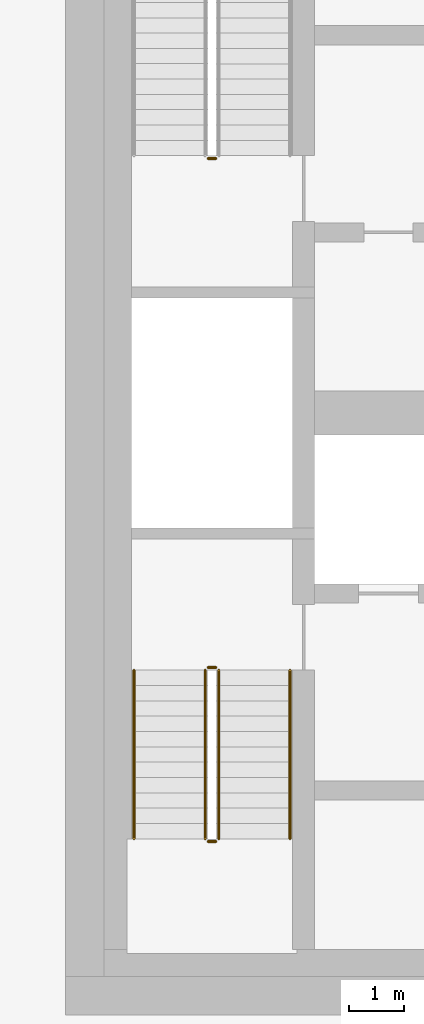
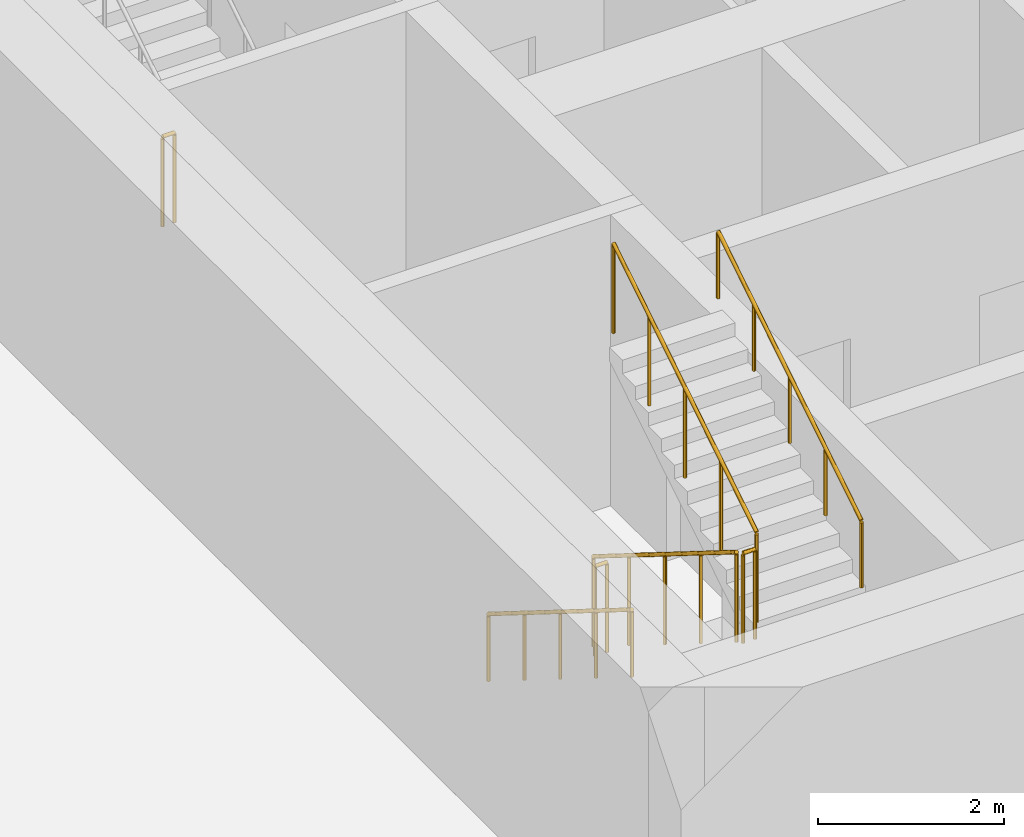
# One storey, part 17 of 22: 7 railings.
"""IFC4 building model written with IfcOpenShell, lengths in metres."""

from ifc_helpers import new_model, si_unit, direction, frame, origin, origin_2d, place, context, subcontext, project, spatial, circle, extrude, material, type_object, element, save


model = new_model("IFC4")

# Units and contexts
model_context = context("Model", 3, precision=1e-05, world=origin(), true_north=direction((0.0, 1.0)))
body_context = subcontext(model_context, "Body", "Model", "MODEL_VIEW")
ifc_project = project(units=[si_unit("LENGTHUNIT", "METRE"), si_unit("AREAUNIT", "SQUARE_METRE"), si_unit("VOLUMEUNIT", "CUBIC_METRE"), si_unit("PLANEANGLEUNIT", "RADIAN"), si_unit("MASSUNIT", "GRAM", prefix="KILO")], contexts=[model_context])

# Site, building, storey
site_placement = place(None, origin())
site = spatial("IfcSite", under=ifc_project, at=site_placement, CompositionType="ELEMENT")
building_placement = place(site_placement, origin())
building = spatial("IfcBuilding", under=site, at=building_placement, Name="Dongbaek Canopy Tower", CompositionType="ELEMENT")
storey_placement = place(building_placement, frame((0.0, 0.0, 237.0)))
storey = spatial("IfcBuildingStorey", under=building, at=storey_placement, Name="L49", CompositionType="ELEMENT", Elevation=237.0)

# Railings
ifc_material_1 = material(Name="Stainless steel tube and balusters", Category="steel")
railing_type_1 = type_object("IfcRailingType", Name="Stair guard 1200", PredefinedType="GUARDRAIL", material=ifc_material_1)
railing_1_placement = place(storey_placement, frame((-11.25, 4.64990234375, 0.0)))
element("IfcRailing", 1, at=railing_1_placement, inside=storey, type_object=railing_type_1, Name="L49 ST-C stair guard 4", PredefinedType="GUARDRAIL", context=body_context, shape_type="SweptSolid", body=[
    extrude(circle(Radius=0.02392578125, at=origin_2d()), frame((0.0, 0.0, 1.17578125), z_axis=(-1.0, 0.0, 0.0), x_axis=(0.0, -1.0, 0.0)), (0.0, 0.0, 1.0), 0.14990234375),
    extrude(circle(Radius=0.02099609375, at=origin_2d()), origin(), (0.0, 0.0, 1.0), 1.15185546875),
    extrude(circle(Radius=0.02099609375, at=origin_2d()), frame((-0.14990234375, 0.0, 0.0)), (0.0, 0.0, 1.0), 1.15185546875),
])
railing_2_placement = place(storey_placement, frame((-11.449951171875, -4.699951171875, 0.175048828125)))
element("IfcRailing", 2, at=railing_2_placement, inside=storey, type_object=railing_type_1, Name="L49 ST-D stair guard 1", PredefinedType="GUARDRAIL", context=body_context, shape_type="SweptSolid", body=[
    extrude(circle(Radius=0.02392578125, at=origin_2d()), frame((0.0, 0.0, 1.17578125), z_axis=(0.0, -0.847998304005, 0.529998940003), x_axis=(1.0, 0.0, 0.0)), (0.0, 0.0, 1.0), 3.632080078125),
    extrude(circle(Radius=0.02099609375, at=origin_2d()), origin(), (0.0, 0.0, 1.0), 1.15185546875),
    extrude(circle(Radius=0.02099609375, at=origin_2d()), frame((0.0, -0.77001953125, 0.481201171875)), (0.0, 0.0, 1.0), 1.15185546875),
    extrude(circle(Radius=0.02099609375, at=origin_2d()), frame((0.0, -1.5400390625, 0.96240234375)), (0.0, 0.0, 1.0), 1.15185546875),
    extrude(circle(Radius=0.02099609375, at=origin_2d()), frame((0.0, -2.31005859375, 1.44384765625)), (0.0, 0.0, 1.0), 1.15185546875),
    extrude(circle(Radius=0.02099609375, at=origin_2d()), frame((0.0, -3.080078125, 1.925048828125)), (0.0, 0.0, 1.0), 1.15185546875),
])
railing_3_placement = place(storey_placement, frame((-11.39990234375, -7.830078125, 2.10009765625)))
element("IfcRailing", 3, at=railing_3_placement, inside=storey, type_object=railing_type_1, Name="L49 ST-D stair guard 2", PredefinedType="GUARDRAIL", context=body_context, shape_type="SweptSolid", body=[
    extrude(circle(Radius=0.02392578125, at=origin_2d()), frame((0.0, 0.0, 1.17578125), z_axis=(1.0, 0.0, 0.0), x_axis=(0.0, 1.0, 0.0)), (0.0, 0.0, 1.0), 0.14990234375),
    extrude(circle(Radius=0.02099609375, at=origin_2d()), origin(), (0.0, 0.0, 1.0), 1.15185546875),
    extrude(circle(Radius=0.02099609375, at=origin_2d()), frame((0.14990234375, 0.0, 0.0)), (0.0, 0.0, 1.0), 1.15185546875),
])
railing_4_placement = place(storey_placement, frame((-11.199951171875, -7.780029296875, 2.27490234375)))
element("IfcRailing", 4, at=railing_4_placement, inside=storey, type_object=railing_type_1, Name="L49 ST-D stair guard 3", PredefinedType="GUARDRAIL", context=body_context, shape_type="SweptSolid", body=[
    extrude(circle(Radius=0.02392578125, at=origin_2d()), frame((0.0, 0.0, 1.17578125), z_axis=(0.0, 0.847998304005, 0.529998940003), x_axis=(-1.0, 0.0, 0.0)), (0.0, 0.0, 1.0), 3.632080078125),
    extrude(circle(Radius=0.02099609375, at=origin_2d()), origin(), (0.0, 0.0, 1.0), 1.15185546875),
    extrude(circle(Radius=0.02099609375, at=origin_2d()), frame((0.0, 0.77001953125, 0.481201171875)), (0.0, 0.0, 1.0), 1.15185546875),
    extrude(circle(Radius=0.02099609375, at=origin_2d()), frame((0.0, 1.5400390625, 0.96240234375)), (0.0, 0.0, 1.0), 1.15185546875),
    extrude(circle(Radius=0.02099609375, at=origin_2d()), frame((0.0, 2.31005859375, 1.44384765625)), (0.0, 0.0, 1.0), 1.15185546875),
    extrude(circle(Radius=0.02099609375, at=origin_2d()), frame((0.0, 3.080078125, 1.925048828125)), (0.0, 0.0, 1.0), 1.15185546875),
])
railing_5_placement = place(storey_placement, frame((-11.39990234375, -4.64990234375, 0.0)))
element("IfcRailing", 5, at=railing_5_placement, inside=storey, type_object=railing_type_1, Name="L49 ST-D stair guard 4", PredefinedType="GUARDRAIL", context=body_context, shape_type="SweptSolid", body=[
    extrude(circle(Radius=0.02392578125, at=origin_2d()), frame((0.0, 0.0, 1.17578125), z_axis=(1.0, 0.0, 0.0), x_axis=(0.0, 1.0, 0.0)), (0.0, 0.0, 1.0), 0.14990234375),
    extrude(circle(Radius=0.02099609375, at=origin_2d()), origin(), (0.0, 0.0, 1.0), 1.15185546875),
    extrude(circle(Radius=0.02099609375, at=origin_2d()), frame((0.14990234375, 0.0, 0.0)), (0.0, 0.0, 1.0), 1.15185546875),
])
ifc_material_2 = material(Name="Stainless steel tube", Category="steel")
railing_type_2 = type_object("IfcRailingType", Name="Stair handrail 900", PredefinedType="HANDRAIL", material=ifc_material_2)
railing_6_placement = place(storey_placement, frame((-12.75, -4.699951171875, 0.175048828125)))
element("IfcRailing", 6, at=railing_6_placement, inside=storey, type_object=railing_type_2, Name="L49 ST-D stair handrail 1", PredefinedType="HANDRAIL", context=body_context, shape_type="SweptSolid", body=[
    extrude(circle(Radius=0.02392578125, at=origin_2d()), frame((0.0, 0.0, 0.8759765625), z_axis=(0.0, -0.847998304005, 0.529998940003), x_axis=(1.0, 0.0, 0.0)), (0.0, 0.0, 1.0), 3.632080078125),
    extrude(circle(Radius=0.02099609375, at=origin_2d()), origin(), (0.0, 0.0, 1.0), 0.851806640625),
    extrude(circle(Radius=0.02099609375, at=origin_2d()), frame((0.0, -0.77001953125, 0.481201171875)), (0.0, 0.0, 1.0), 0.851806640625),
    extrude(circle(Radius=0.02099609375, at=origin_2d()), frame((0.0, -1.5400390625, 0.96240234375)), (0.0, 0.0, 1.0), 0.851806640625),
    extrude(circle(Radius=0.02099609375, at=origin_2d()), frame((0.0, -2.31005859375, 1.44384765625)), (0.0, 0.0, 1.0), 0.851806640625),
    extrude(circle(Radius=0.02099609375, at=origin_2d()), frame((0.0, -3.080078125, 1.925048828125)), (0.0, 0.0, 1.0), 0.851806640625),
])
railing_7_placement = place(storey_placement, frame((-9.89990234375, -7.780029296875, 2.27490234375)))
element("IfcRailing", 7, at=railing_7_placement, inside=storey, type_object=railing_type_2, Name="L49 ST-D stair handrail 2", PredefinedType="HANDRAIL", context=body_context, shape_type="SweptSolid", body=[
    extrude(circle(Radius=0.02392578125, at=origin_2d()), frame((0.0, 0.0, 0.8759765625), z_axis=(0.0, 0.847998304005, 0.529998940003), x_axis=(-1.0, 0.0, 0.0)), (0.0, 0.0, 1.0), 3.632080078125),
    extrude(circle(Radius=0.02099609375, at=origin_2d()), origin(), (0.0, 0.0, 1.0), 0.851806640625),
    extrude(circle(Radius=0.02099609375, at=origin_2d()), frame((0.0, 0.77001953125, 0.481201171875)), (0.0, 0.0, 1.0), 0.851806640625),
    extrude(circle(Radius=0.02099609375, at=origin_2d()), frame((0.0, 1.5400390625, 0.96240234375)), (0.0, 0.0, 1.0), 0.851806640625),
    extrude(circle(Radius=0.02099609375, at=origin_2d()), frame((0.0, 2.31005859375, 1.44384765625)), (0.0, 0.0, 1.0), 0.851806640625),
    extrude(circle(Radius=0.02099609375, at=origin_2d()), frame((0.0, 3.080078125, 1.925048828125)), (0.0, 0.0, 1.0), 0.851806640625),
])

save(model, "model.ifc")
